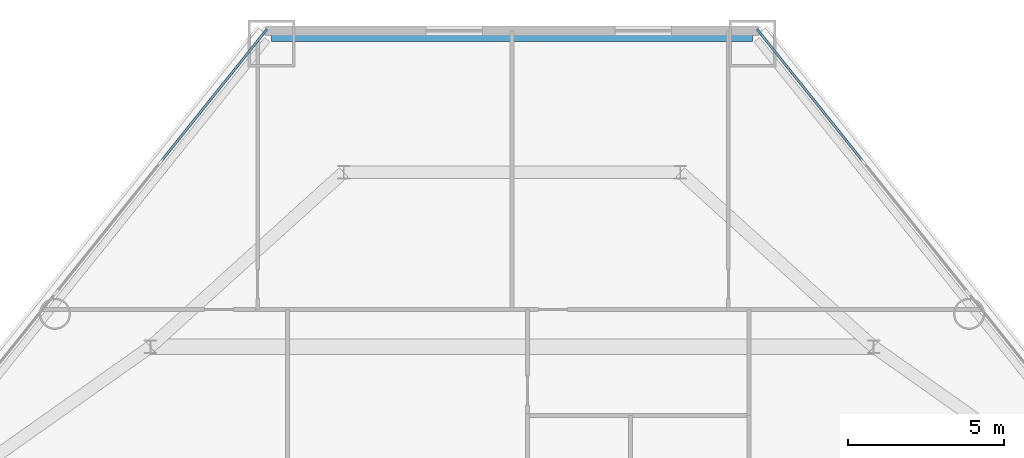
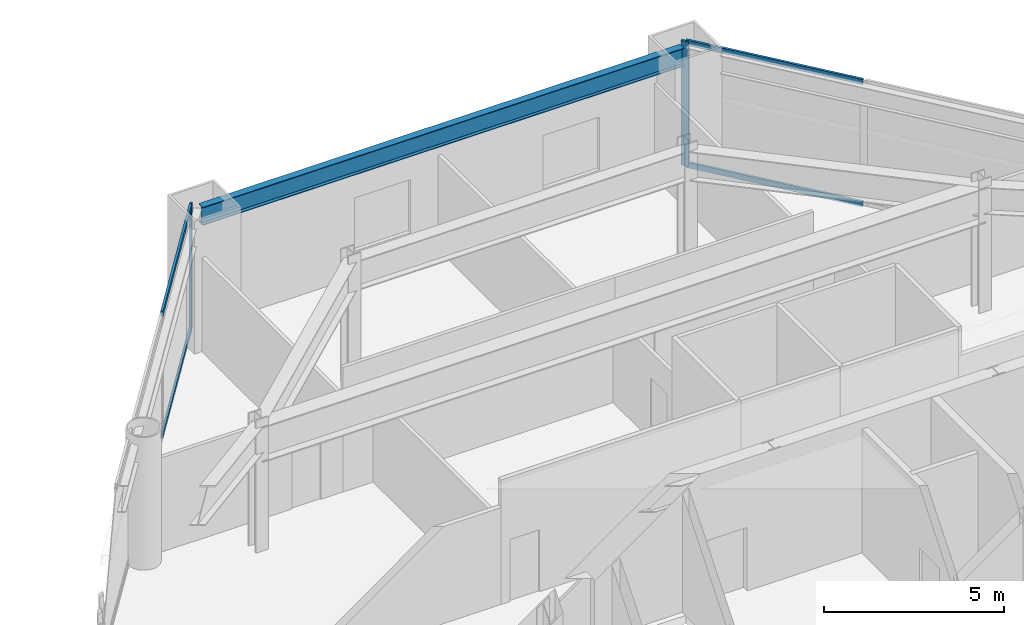
# One storey, part 6 of 13: 6 members, 1 beam, 2 elements without a shape of their own.
"""IFC4 building model written with IfcOpenShell, lengths in metres."""

import ifcopenshell
import ifcopenshell.guid

model = None  # the IFC model being written
_history = None  # IfcOwnerHistory: only IFC2X3 demands one
_inside = {}  # id of a spatial element -> (the spatial element, [elements in it])
_under = {}  # id of a project, library or spatial element -> (it, [spatial elements below it])
_declared = {}  # id of a project -> (the project, [libraries it declares])
_typed = {}  # id of a type object -> (the type object, [elements of that type])
_made_of = {}  # id of a material, layer set ... -> (it, [elements and type objects made of it])


def new_model(schema):
    """Start an empty IFC model of exactly this schema.

    Asked for "IFC4X3", IfcOpenShell would pick the latest addendum, in which some entities
    have other attributes; the version numbers below select the first issue.
    IFC2X3 requires an IfcOwnerHistory on every rooted entity: one is made here for all.
    """
    global model, _history
    if schema == "IFC4X3":
        model = ifcopenshell.file(schema_version=(4, 3, 0, 0))
    else:
        model = ifcopenshell.file(schema=schema)
    _inside.clear()
    _under.clear()
    _declared.clear()
    _typed.clear()
    _made_of.clear()
    _history = None
    if model.schema == "IFC2X3":
        org = make("IfcOrganization", Name="unknown")
        user = make(
            "IfcPersonAndOrganization",
            ThePerson=make("IfcPerson", FamilyName="unknown"),
            TheOrganization=org,
        )
        app = make(
            "IfcApplication",
            ApplicationDeveloper=org,
            Version="unknown",
            ApplicationFullName="unknown",
            ApplicationIdentifier="unknown",
        )
        _history = make(
            "IfcOwnerHistory",
            OwningUser=user,
            OwningApplication=app,
            ChangeAction="ADDED",
            CreationDate=0,
        )
    return model


def make(cls, **values):
    """One entity of the class cls with the attributes given. An attribute that is None is left unset."""
    return model.create_entity(
        cls, **{name: value for name, value in values.items() if value is not None}
    )


def rooted(cls, **values):
    """An entity with a GlobalId (a new one), such as an element, a storey or a relation."""
    return make(cls, GlobalId=ifcopenshell.guid.new(), OwnerHistory=_history, **values)


def si_unit(unit_type, name, prefix=None):
    """IfcSIUnit, for example si_unit("LENGTHUNIT", "METRE", prefix="MILLI")."""
    return make("IfcSIUnit", UnitType=unit_type, Prefix=prefix, Name=name)


def assignment(units):
    """IfcUnitAssignment: the units of a project."""
    return None if units is None else make("IfcUnitAssignment", Units=units)


def point(xyz):
    """IfcCartesianPoint."""
    return None if xyz is None else make("IfcCartesianPoint", Coordinates=xyz)


def direction(xyz):
    """IfcDirection."""
    return None if xyz is None else make("IfcDirection", DirectionRatios=xyz)


def frame(location, z_axis=None, x_axis=None):
    """IfcAxis2Placement3D, a coordinate frame: its origin and axes. An axis left out is left unset."""
    return make(
        "IfcAxis2Placement3D",
        Location=point(location),
        Axis=direction(z_axis),
        RefDirection=direction(x_axis),
    )


def frame_2d(location, x_axis=None):
    """IfcAxis2Placement2D, a coordinate frame in the plane: its origin and x axis."""
    return make(
        "IfcAxis2Placement2D", Location=point(location), RefDirection=direction(x_axis)
    )


def origin():
    """The frame at (0, 0, 0) with its axes left unset."""
    return frame((0.0, 0.0, 0.0))


def origin_2d():
    """The frame at (0, 0) in the plane with its x axis left unset."""
    return frame_2d((0.0, 0.0))


def place(relative_to, where):
    """IfcLocalPlacement: puts the frame where relative to a parent placement (None: the world)."""
    return make(
        "IfcLocalPlacement", PlacementRelTo=relative_to, RelativePlacement=where
    )


def context(
    kind, dimensions, precision=None, world=None, true_north=None, identifier=None
):
    """IfcGeometricRepresentationContext, for example the 3D "Model" context."""
    return make(
        "IfcGeometricRepresentationContext",
        ContextIdentifier=identifier,
        ContextType=kind,
        CoordinateSpaceDimension=dimensions,
        Precision=precision,
        WorldCoordinateSystem=world,
        TrueNorth=true_north,
    )


def subcontext(parent, identifier, kind, view, scale=None):
    """IfcGeometricRepresentationSubContext, for example "Body" below "Model"."""
    return make(
        "IfcGeometricRepresentationSubContext",
        ContextIdentifier=identifier,
        ContextType=kind,
        ParentContext=parent,
        TargetScale=scale,
        TargetView=view,
    )


def project(units=None, contexts=None):
    """IfcProject with its units and contexts."""
    return rooted(
        "IfcProject",
        Name="project",
        RepresentationContexts=contexts,
        UnitsInContext=assignment(units),
    )


def spatial(cls, under=None, at=None, **own):
    """A site, building, storey or space (cls), placed at a placement, below another one or the project."""
    s = rooted(cls, ObjectPlacement=at, **own)
    if under is not None:
        _under.setdefault(under.id(), (under, []))[1].append(s)
    return s


def profile(cls, at=None, kind="AREA", **sizes):
    """A parametric profile (cls). Its sizes go by their IFC names, for example OverallWidth=200.0."""
    return make(cls, ProfileType=kind, Position=at, **sizes)


def rectangle(**sizes):
    """IfcRectangleProfileDef."""
    return profile("IfcRectangleProfileDef", **sizes)


def i_section(**sizes):
    """IfcIShapeProfileDef."""
    return profile("IfcIShapeProfileDef", **sizes)


def extrude(swept, where, along, depth):
    """IfcExtrudedAreaSolid: the profile swept, set in the frame where, extruded along a direction by depth."""
    return make(
        "IfcExtrudedAreaSolid",
        SweptArea=swept,
        Position=where,
        ExtrudedDirection=direction(along),
        Depth=depth,
    )


def shape(context_of_items, identifier, shape_type, items):
    """IfcShapeRepresentation: the items that make up one representation, for example the "Body"."""
    return make(
        "IfcShapeRepresentation",
        ContextOfItems=context_of_items,
        RepresentationIdentifier=identifier,
        RepresentationType=shape_type,
        Items=items,
    )


def material(Name=None, Category=None):
    """IfcMaterial."""
    return make("IfcMaterial", Name=Name, Category=Category)


def layer(
    of_material, thickness, ventilated=None, Name=None, Category=None, Priority=None
):
    """IfcMaterialLayer: one layer of a wall or slab, of a material (None: an air gap)."""
    return make(
        "IfcMaterialLayer",
        Material=of_material,
        LayerThickness=thickness,
        IsVentilated=ventilated,
        Name=Name,
        Category=Category,
        Priority=Priority,
    )


def layer_set(layers, Name=None):
    """IfcMaterialLayerSet."""
    return make("IfcMaterialLayerSet", MaterialLayers=layers, LayerSetName=Name)


def material_profile(
    of_material, cross_section, Name=None, Category=None, Priority=None
):
    """IfcMaterialProfile: a cross section and its material."""
    return make(
        "IfcMaterialProfile",
        Name=Name,
        Material=of_material,
        Profile=cross_section,
        Priority=Priority,
        Category=Category,
    )


def profile_set(profiles, Name=None, composite=None):
    """IfcMaterialProfileSet."""
    return make(
        "IfcMaterialProfileSet",
        Name=Name,
        MaterialProfiles=profiles,
        CompositeProfile=composite,
    )


def made_of(thing, what):
    """Note that an element or type object is made of a material, layer set ...; save() writes the relation."""
    if what is not None:
        _made_of.setdefault(what.id(), (what, []))[1].append(thing)
    return thing


def type_object(cls, material=None, **own):
    """A type object (cls), such as IfcWallType, which elements share."""
    return made_of(rooted(cls, **own), material)


def element(
    cls,
    number,
    at=None,
    inside=None,
    cuts=None,
    type_object=None,
    material=None,
    context=None,
    identifier="Body",
    shape_type=None,
    held_by="IfcProductDefinitionShape",
    body=None,
    shapes=None,
    **own,
):
    """One element of the class cls, such as IfcWall. Its Tag is "e" and its number.

    at: its placement. inside: the storey or other place that contains it. cuts: it is an
    opening in that element (IfcRelVoidsElement). A single representation is given by context,
    identifier, shape_type and body (its items); several are given by shapes. held_by: the class
    of the entity that holds the representations. save() writes the other relations.
    """
    e = rooted(cls, Tag="e%d" % number, ObjectPlacement=at, **own)
    if body is not None:
        shapes = [shape(context, identifier, shape_type, body)]
    if shapes is not None:
        e.Representation = make(held_by, Representations=shapes)
    if inside is not None:
        _inside.setdefault(inside.id(), (inside, []))[1].append(e)
    if cuts is not None:
        rooted(
            "IfcRelVoidsElement", RelatingBuildingElement=cuts, RelatedOpeningElement=e
        )
    if type_object is not None:
        _typed.setdefault(type_object.id(), (type_object, []))[1].append(e)
    return made_of(e, material)


def aggregate(whole, parts):
    """IfcRelAggregates: a whole, such as a stair, and the parts it consists of."""
    return rooted("IfcRelAggregates", RelatingObject=whole, RelatedObjects=parts)


def save(model, path):
    """Write the relations noted so far, then the file.

    IfcRelAggregates (storeys below a building ...), IfcRelContainedInSpatialStructure (elements
    in a storey), IfcRelDefinesByType, IfcRelAssociatesMaterial and IfcRelDeclares: one each for
    every whole, place, type object, material and project.
    """
    for whole, parts in _under.values():
        aggregate(whole, parts)
    for where, things in _inside.values():
        rooted(
            "IfcRelContainedInSpatialStructure",
            RelatedElements=things,
            RelatingStructure=where,
        )
    for kind, things in _typed.values():
        rooted("IfcRelDefinesByType", RelatedObjects=things, RelatingType=kind)
    for what, things in _made_of.values():
        rooted("IfcRelAssociatesMaterial", RelatedObjects=things, RelatingMaterial=what)
    for by, libraries in _declared.values():
        rooted("IfcRelDeclares", RelatingContext=by, RelatedDefinitions=libraries)
    model.write(path)


model = new_model("IFC4")

# Units and contexts
model_context = context("Model", 3, precision=1e-05, world=origin(), true_north=direction((0.0, 1.0)))
body_context = subcontext(model_context, "Body", "Model", "MODEL_VIEW")
ifc_project = project(units=[si_unit("LENGTHUNIT", "METRE"), si_unit("AREAUNIT", "SQUARE_METRE"), si_unit("VOLUMEUNIT", "CUBIC_METRE"), si_unit("PLANEANGLEUNIT", "RADIAN"), si_unit("MASSUNIT", "GRAM", prefix="KILO")], contexts=[model_context])

# Site, building, storey
site_placement = place(None, origin())
site = spatial("IfcSite", under=ifc_project, at=site_placement, CompositionType="ELEMENT")
building_placement = place(site_placement, origin())
building = spatial("IfcBuilding", under=site, at=building_placement, Name="Talgorran Terracotta Tower", CompositionType="ELEMENT")
storey_placement = place(building_placement, frame((0.0, 0.0, 9.89990234375)))
storey = spatial("IfcBuildingStorey", under=building, at=storey_placement, Name="L02", CompositionType="ELEMENT", Elevation=9.89990234375)

# Beam
ifc_material_1 = material(Name="Steel S355 (300PLUS)", Category="steel")
ifc_material_profile_1 = material_profile(ifc_material_1, i_section(OverallWidth=0.22900390625, OverallDepth=0.611572265625, WebThickness=0.011962890625, FlangeThickness=0.01953125, at=origin_2d()), Name="610UB125")
ifc_profile_set_1 = profile_set([ifc_material_profile_1], Name="Steel S355 (300PLUS)")
beam_type = type_object("IfcBeamType", Name="BM_SP_610UB125", PredefinedType="SPANDREL", material=ifc_profile_set_1)
beam_placement = place(storey_placement, frame((7.714111328125, 14.115966796875, 3.914306640625), z_axis=(-1.0, 0.0, 0.0), x_axis=(0.0, -1.0, 0.0)))
element("IfcBeam", 1, at=beam_placement, inside=storey, type_object=beam_type, Name="L02 Perimeter Spandrel Beam MC5-MC6", PredefinedType="SPANDREL", context=body_context, shape_type="SweptSolid", body=[
    extrude(i_section(OverallWidth=0.22900390625, OverallDepth=0.611572265625, WebThickness=0.011962890625, FlangeThickness=0.01953125, at=origin_2d()), origin(), (0.0, 0.0, 1.0), 15.42822265625),
])

# Curtain wall, member
ifc_material_2 = material(Name="Terracotta and Low-E Glazing", Category="masonry")
ifc_layer = layer(ifc_material_2, 0.219970703125, Name="CW_SYS1_PODIUM")
ifc_layer_set = layer_set([ifc_layer], Name="Terracotta and Low-E Glazing")
curtain_wall_type = type_object("IfcCurtainWallType", Name="CW_SYS1_PODIUM", PredefinedType="NOTDEFINED", material=ifc_layer_set)
curtain_wall_1_placement = place(storey_placement, origin())
curtain_wall_1 = element("IfcCurtainWall", 2, at=curtain_wall_1_placement, inside=storey, type_object=curtain_wall_type, Name="CW-L02-F3", PredefinedType="NOTDEFINED")
ifc_material_3 = material(Name="Architectural Aluminium 6063-T6", Category="aluminium")
ifc_material_profile_2 = material_profile(ifc_material_3, rectangle(XDim=0.074951171875, YDim=0.219970703125, at=origin_2d()), Name="CWM75X220")
ifc_profile_set_2 = profile_set([ifc_material_profile_2], Name="Architectural Aluminium 6063-T6")
member_type_1 = type_object("IfcMemberType", Name="MUL_75X220", PredefinedType="MULLION", material=ifc_profile_set_2)
member_1_placement = place(storey_placement, frame((7.929931640625, 14.306640625, 0.0), z_axis=(0.0, 0.0, 1.0), x_axis=(-0.780531657787, -0.625116254142, 0.0)))
member_1 = element("IfcMember", 3, at=member_1_placement, type_object=member_type_1, Name="CW-L02-3 mullion 7", PredefinedType="MULLION", context=body_context, shape_type="SweptSolid", body=[
    extrude(rectangle(XDim=0.074951171875, YDim=0.219970703125, at=origin_2d()), origin(), (0.0, 0.0, 1.0), 4.22021484375),
])

curtain_wall_2_placement = place(storey_placement, origin())
curtain_wall_2 = element("IfcCurtainWall", 4, at=curtain_wall_2_placement, inside=storey, type_object=curtain_wall_type, Name="CW-L02-F5", PredefinedType="NOTDEFINED")
member_2_placement = place(storey_placement, frame((-7.929931640625, 14.306640625, 0.0), z_axis=(0.0, 0.0, 1.0), x_axis=(0.780531657787, -0.625116254142, 0.0)))
member_2 = element("IfcMember", 5, at=member_2_placement, type_object=member_type_1, Name="CW-L02-5 mullion 1", PredefinedType="MULLION", context=body_context, shape_type="SweptSolid", body=[
    extrude(rectangle(XDim=0.074951171875, YDim=0.219970703125, at=origin_2d()), origin(), (0.0, 0.0, 1.0), 4.22021484375),
])

# Member
ifc_material_profile_3 = material_profile(ifc_material_3, rectangle(XDim=0.074951171875, YDim=0.179931640625, at=origin_2d()), Name="CWT75X180")
ifc_profile_set_3 = profile_set([ifc_material_profile_3], Name="Architectural Aluminium 6063-T6")
member_type_2 = type_object("IfcMemberType", Name="TRN_75X180", PredefinedType="USERDEFINED", material=ifc_profile_set_3)
member_3_placement = place(storey_placement, frame((11.24560546875, 10.16650390625, 0.03759765625), z_axis=(-0.625107639786, 0.780538556819, 0.0), x_axis=(-0.780538556819, -0.625107639786, 0.0)))
member_3 = element("IfcMember", 6, at=member_3_placement, type_object=member_type_2, Name="CW-L02-3 transom 6.1", ObjectType="TRANSOM", PredefinedType="USERDEFINED", context=body_context, shape_type="SweptSolid", body=[
    extrude(rectangle(XDim=0.074951171875, YDim=0.179931640625, at=origin_2d()), origin(), (0.0, 0.0, 1.0), 5.2666015625),
])

member_4_placement = place(storey_placement, frame((11.24560546875, 10.16650390625, 4.1826171875), z_axis=(-0.625107639786, 0.780538556819, 0.0), x_axis=(-0.780538556819, -0.625107639786, 0.0)))
member_4 = element("IfcMember", 7, at=member_4_placement, type_object=member_type_2, Name="CW-L02-3 transom 6.2", ObjectType="TRANSOM", PredefinedType="USERDEFINED", context=body_context, shape_type="SweptSolid", body=[
    extrude(rectangle(XDim=0.074951171875, YDim=0.179931640625, at=origin_2d()), origin(), (0.0, 0.0, 1.0), 5.2666015625),
])

aggregate(curtain_wall_1, [member_1, member_3, member_4])

member_5_placement = place(storey_placement, frame((-7.953369140625, 14.27734375, 0.03759765625), z_axis=(-0.625107639786, -0.780538556819, 0.0), x_axis=(0.780538556819, -0.625107639786, 0.0)))
member_5 = element("IfcMember", 8, at=member_5_placement, type_object=member_type_2, Name="CW-L02-5 transom 1.1", ObjectType="TRANSOM", PredefinedType="USERDEFINED", context=body_context, shape_type="SweptSolid", body=[
    extrude(rectangle(XDim=0.074951171875, YDim=0.179931640625, at=origin_2d()), origin(), (0.0, 0.0, 1.0), 5.2666015625),
])

member_6_placement = place(storey_placement, frame((-7.953369140625, 14.27734375, 4.1826171875), z_axis=(-0.625107639786, -0.780538556819, 0.0), x_axis=(0.780538556819, -0.625107639786, 0.0)))
member_6 = element("IfcMember", 9, at=member_6_placement, type_object=member_type_2, Name="CW-L02-5 transom 1.2", ObjectType="TRANSOM", PredefinedType="USERDEFINED", context=body_context, shape_type="SweptSolid", body=[
    extrude(rectangle(XDim=0.074951171875, YDim=0.179931640625, at=origin_2d()), origin(), (0.0, 0.0, 1.0), 5.2666015625),
])

aggregate(curtain_wall_2, [member_2, member_5, member_6])

save(model, "model.ifc")
